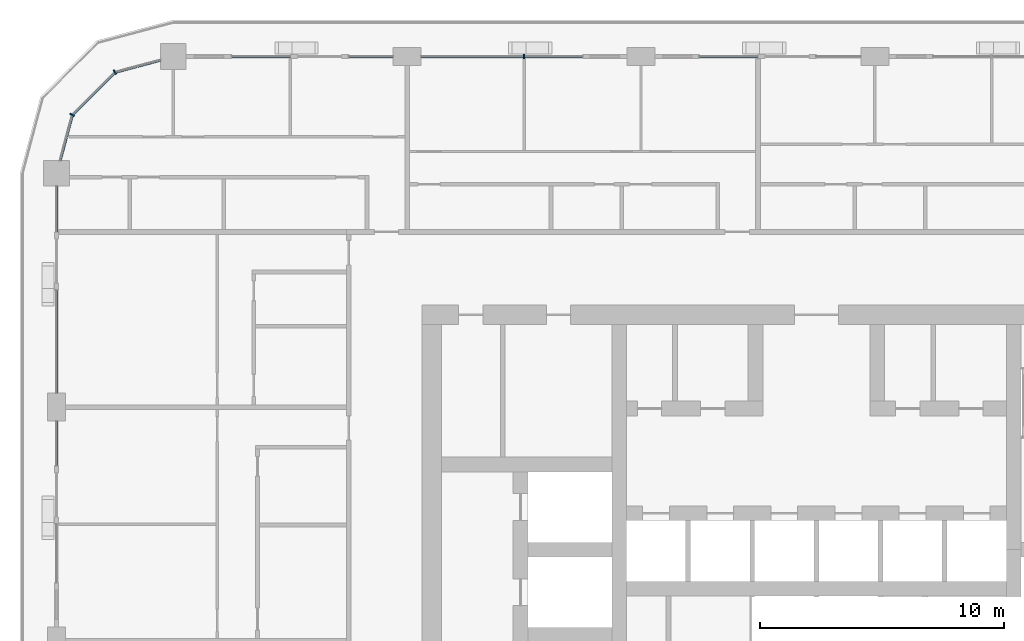
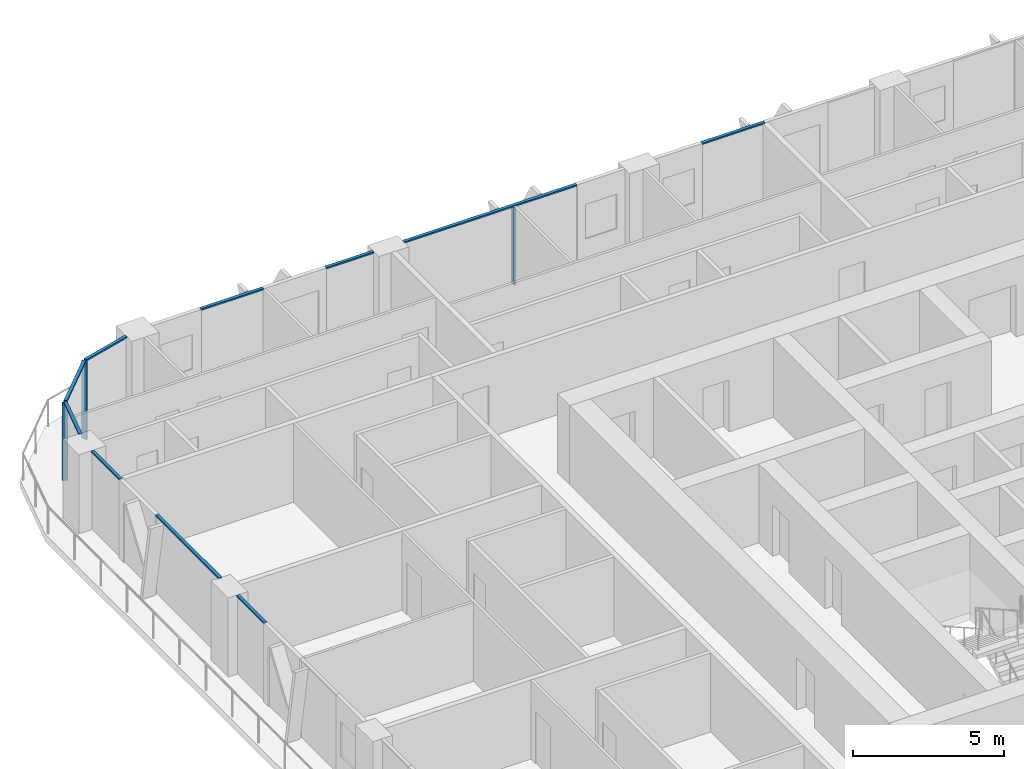
# One storey, part 5 of 22: 13 members, 6 elements without a shape of their own.
"""IFC4 building model written with IfcOpenShell, lengths in metres."""

from ifc_helpers import new_model, si_unit, direction, frame, origin, origin_2d, place, context, subcontext, project, spatial, rectangle, extrude, material, layer, layer_set, material_profile, profile_set, type_object, element, aggregate, save


model = new_model("IFC4")

# Units and contexts
model_context = context("Model", 3, precision=1e-05, world=origin(), true_north=direction((0.0, 1.0)))
body_context = subcontext(model_context, "Body", "Model", "MODEL_VIEW")
ifc_project = project(units=[si_unit("LENGTHUNIT", "METRE"), si_unit("AREAUNIT", "SQUARE_METRE"), si_unit("VOLUMEUNIT", "CUBIC_METRE"), si_unit("PLANEANGLEUNIT", "RADIAN"), si_unit("MASSUNIT", "GRAM", prefix="KILO")], contexts=[model_context])

# Site, building, storey
site_placement = place(None, origin())
site = spatial("IfcSite", under=ifc_project, at=site_placement, CompositionType="ELEMENT")
building_placement = place(site_placement, origin())
building = spatial("IfcBuilding", under=site, at=building_placement, Name="Madar Terraces", CompositionType="ELEMENT")
storey_placement = place(building_placement, frame((0.0, 0.0, 156.0)))
storey = spatial("IfcBuildingStorey", under=building, at=storey_placement, Name="L40", CompositionType="ELEMENT", Elevation=156.0)

# Curtain wall, member
ifc_material_1 = material(Name="Glass, ceramic frit dark grey, with black aluminium frame", Category="aluminium")
ifc_layer = layer(ifc_material_1, 0.199951171875)
ifc_layer_set = layer_set([ifc_layer], Name="Facade curtain wall, fritted glass")
curtain_wall_type = type_object("IfcCurtainWallType", Name="Facade curtain wall, fritted glass", PredefinedType="NOTDEFINED", material=ifc_layer_set)
curtain_wall_1_placement = place(storey_placement, origin())
curtain_wall_1 = element("IfcCurtainWall", 1, at=curtain_wall_1_placement, inside=storey, type_object=curtain_wall_type, Name="Outer skin curtain wall north bay 4", PredefinedType="NOTDEFINED")
ifc_material_2 = material(Name="Aluminium, black anodised", Category="aluminium")
ifc_material_profile_1 = material_profile(ifc_material_2, rectangle(XDim=0.199951171875, YDim=0.06005859375, at=origin_2d()), Name="Facade mullion 60x200")
ifc_profile_set_1 = profile_set([ifc_material_profile_1], Name="Aluminium, black anodised")
member_type_1 = type_object("IfcMemberType", Name="Facade mullion 60x200", PredefinedType="MULLION", material=ifc_profile_set_1)
member_1_placement = place(storey_placement, frame((19.199951171875, 48.0, 0.0), z_axis=(0.0, 0.0, 1.0), x_axis=(0.0, -1.0, 0.0)))
member_1 = element("IfcMember", 2, at=member_1_placement, type_object=member_type_1, Name="Mullion 1", PredefinedType="MULLION", context=body_context, shape_type="SweptSolid", body=[
    extrude(rectangle(XDim=0.199951171875, YDim=0.06005859375, at=origin_2d()), origin(), (0.0, 0.0, 1.0), 3.139892578125),
])

# Curtain wall, members
curtain_wall_2_placement = place(storey_placement, origin())
curtain_wall_2 = element("IfcCurtainWall", 3, at=curtain_wall_2_placement, inside=storey, type_object=curtain_wall_type, Name="Outer skin curtain wall north-west corner", PredefinedType="NOTDEFINED")
member_2_placement = place(storey_placement, frame((2.39990234375, 47.35693359375, 0.0), z_axis=(0.0, 0.0, 1.0), x_axis=(0.499999989586, -0.866025409797, 0.0)))
member_2 = element("IfcMember", 4, at=member_2_placement, type_object=member_type_1, Name="Mullion 1", PredefinedType="MULLION", context=body_context, shape_type="SweptSolid", body=[
    extrude(rectangle(XDim=0.199951171875, YDim=0.06005859375, at=origin_2d()), origin(), (0.0, 0.0, 1.0), 3.139892578125),
])
member_3_placement = place(storey_placement, frame((0.64306640625, 45.60009765625, 0.0), z_axis=(0.0, 0.0, 1.0), x_axis=(0.866025409797, -0.499999989586, 0.0)))
member_3 = element("IfcMember", 5, at=member_3_placement, type_object=member_type_1, Name="Mullion 2", PredefinedType="MULLION", context=body_context, shape_type="SweptSolid", body=[
    extrude(rectangle(XDim=0.199951171875, YDim=0.06005859375, at=origin_2d()), origin(), (0.0, 0.0, 1.0), 3.139892578125),
])

# Curtain wall, member
curtain_wall_3_placement = place(storey_placement, origin())
curtain_wall_3 = element("IfcCurtainWall", 6, at=curtain_wall_3_placement, inside=storey, type_object=curtain_wall_type, Name="Outer skin curtain wall north bay 3", PredefinedType="NOTDEFINED")
ifc_material_3 = material(Name="Aluminium, black anodised", Category="aluminium")
ifc_material_profile_2 = material_profile(ifc_material_3, rectangle(XDim=0.1201171875, YDim=0.06005859375, at=origin_2d()), Name="Facade transom 60x120")
ifc_profile_set_2 = profile_set([ifc_material_profile_2], Name="Aluminium, black anodised")
member_type_2 = type_object("IfcMemberType", Name="Facade transom 60x120", PredefinedType="USERDEFINED", material=ifc_profile_set_2)
member_4_placement = place(storey_placement, frame((28.800048828125, 48.0, 3.169921875), z_axis=(-1.0, 0.0, 0.0), x_axis=(0.0, -1.0, 0.0)))
member_4 = element("IfcMember", 7, at=member_4_placement, type_object=member_type_2, Name="Transom 2", ObjectType="TRANSOM", PredefinedType="USERDEFINED", context=body_context, shape_type="SweptSolid", body=[
    extrude(rectangle(XDim=0.1201171875, YDim=0.06005859375, at=origin_2d()), origin(), (0.0, 0.0, 1.0), 2.400146484375),
])
aggregate(curtain_wall_3, [member_4])

# Member
member_5_placement = place(storey_placement, frame((21.60009765625, 48.0, 3.169921875), z_axis=(-1.0, 0.0, 0.0), x_axis=(0.0, -1.0, 0.0)))
member_5 = element("IfcMember", 8, at=member_5_placement, type_object=member_type_2, Name="Transom 1", ObjectType="TRANSOM", PredefinedType="USERDEFINED", context=body_context, shape_type="SweptSolid", body=[
    extrude(rectangle(XDim=0.1201171875, YDim=0.06005859375, at=origin_2d()), origin(), (0.0, 0.0, 1.0), 6.625),
])

aggregate(curtain_wall_1, [member_1, member_5])

# Curtain wall, members
curtain_wall_4_placement = place(storey_placement, origin())
curtain_wall_4 = element("IfcCurtainWall", 9, at=curtain_wall_4_placement, inside=storey, type_object=curtain_wall_type, Name="Outer skin curtain wall north bay 5", PredefinedType="NOTDEFINED")
member_6_placement = place(storey_placement, frame((13.824951171875, 48.0, 3.169921875), z_axis=(-1.0, 0.0, 0.0), x_axis=(0.0, -1.0, 0.0)))
member_6 = element("IfcMember", 10, at=member_6_placement, type_object=member_type_2, Name="Transom 1", ObjectType="TRANSOM", PredefinedType="USERDEFINED", context=body_context, shape_type="SweptSolid", body=[
    extrude(rectangle(XDim=0.1201171875, YDim=0.06005859375, at=origin_2d()), origin(), (0.0, 0.0, 1.0), 1.824951171875),
])
member_7_placement = place(storey_placement, frame((9.60009765625, 48.0, 3.169921875), z_axis=(-1.0, 0.0, 0.0), x_axis=(0.0, -1.0, 0.0)))
member_7 = element("IfcMember", 11, at=member_7_placement, type_object=member_type_2, Name="Transom 2", ObjectType="TRANSOM", PredefinedType="USERDEFINED", context=body_context, shape_type="SweptSolid", body=[
    extrude(rectangle(XDim=0.1201171875, YDim=0.06005859375, at=origin_2d()), origin(), (0.0, 0.0, 1.0), 2.400146484375),
])
aggregate(curtain_wall_4, [member_6, member_7])

curtain_wall_5_placement = place(storey_placement, origin())
curtain_wall_5 = element("IfcCurtainWall", 12, at=curtain_wall_5_placement, inside=storey, type_object=curtain_wall_type, Name="Outer skin curtain wall west bay 1", PredefinedType="NOTDEFINED")
member_8_placement = place(storey_placement, frame((0.0, 42.675048828125, 3.169921875), z_axis=(0.0, -1.0, 0.0), x_axis=(1.0, 0.0, 0.0)))
member_8 = element("IfcMember", 13, at=member_8_placement, type_object=member_type_2, Name="Transom 1", ObjectType="TRANSOM", PredefinedType="USERDEFINED", context=body_context, shape_type="SweptSolid", body=[
    extrude(rectangle(XDim=0.1201171875, YDim=0.06005859375, at=origin_2d()), origin(), (0.0, 0.0, 1.0), 1.875),
])
member_9_placement = place(storey_placement, frame((0.0, 38.39990234375, 3.169921875), z_axis=(0.0, -1.0, 0.0), x_axis=(1.0, 0.0, 0.0)))
member_9 = element("IfcMember", 14, at=member_9_placement, type_object=member_type_2, Name="Transom 2", ObjectType="TRANSOM", PredefinedType="USERDEFINED", context=body_context, shape_type="SweptSolid", body=[
    extrude(rectangle(XDim=0.1201171875, YDim=0.06005859375, at=origin_2d()), origin(), (0.0, 0.0, 1.0), 4.224853515625),
])
aggregate(curtain_wall_5, [member_8, member_9])

# Curtain wall, member
curtain_wall_6_placement = place(storey_placement, origin())
curtain_wall_6 = element("IfcCurtainWall", 15, at=curtain_wall_6_placement, inside=storey, type_object=curtain_wall_type, Name="Outer skin curtain wall west bay 2", PredefinedType="NOTDEFINED")
member_10_placement = place(storey_placement, frame((0.0, 33.02490234375, 3.169921875), z_axis=(0.0, -1.0, 0.0), x_axis=(1.0, 0.0, 0.0)))
member_10 = element("IfcMember", 16, at=member_10_placement, type_object=member_type_2, Name="Transom 1", ObjectType="TRANSOM", PredefinedType="USERDEFINED", context=body_context, shape_type="SweptSolid", body=[
    extrude(rectangle(XDim=0.1201171875, YDim=0.06005859375, at=origin_2d()), origin(), (0.0, 0.0, 1.0), 1.824951171875),
])
aggregate(curtain_wall_6, [member_10])

# Member
member_11_placement = place(storey_placement, frame((4.27490234375, 47.859375, 3.169921875), z_axis=(-0.965924671538, -0.258823354654, 0.0), x_axis=(0.258823354654, -0.965924671538, 0.0)))
member_11 = element("IfcMember", 17, at=member_11_placement, type_object=member_type_2, Name="Transom 1", ObjectType="TRANSOM", PredefinedType="USERDEFINED", context=body_context, shape_type="SweptSolid", body=[
    extrude(rectangle(XDim=0.1201171875, YDim=0.06005859375, at=origin_2d()), origin(), (0.0, 0.0, 1.0), 1.9111328125),
])

member_12_placement = place(storey_placement, frame((2.37890625, 47.335693359375, 3.169921875), z_axis=(-0.707106781187, -0.707106781187, 0.0), x_axis=(0.707106781187, -0.707106781187, 0.0)))
member_12 = element("IfcMember", 18, at=member_12_placement, type_object=member_type_2, Name="Transom 2", ObjectType="TRANSOM", PredefinedType="USERDEFINED", context=body_context, shape_type="SweptSolid", body=[
    extrude(rectangle(XDim=0.1201171875, YDim=0.06005859375, at=origin_2d()), origin(), (0.0, 0.0, 1.0), 2.4248046875),
])

member_13_placement = place(storey_placement, frame((0.63525390625, 45.571044921875, 3.169921875), z_axis=(-0.258823354654, -0.965924671538, 0.0), x_axis=(0.965924671538, -0.258823354654, 0.0)))
member_13 = element("IfcMember", 19, at=member_13_placement, type_object=member_type_2, Name="Transom 3", ObjectType="TRANSOM", PredefinedType="USERDEFINED", context=body_context, shape_type="SweptSolid", body=[
    extrude(rectangle(XDim=0.1201171875, YDim=0.06005859375, at=origin_2d()), origin(), (0.0, 0.0, 1.0), 1.9111328125),
])

aggregate(curtain_wall_2, [member_2, member_11, member_3, member_12, member_13])

save(model, "model.ifc")
